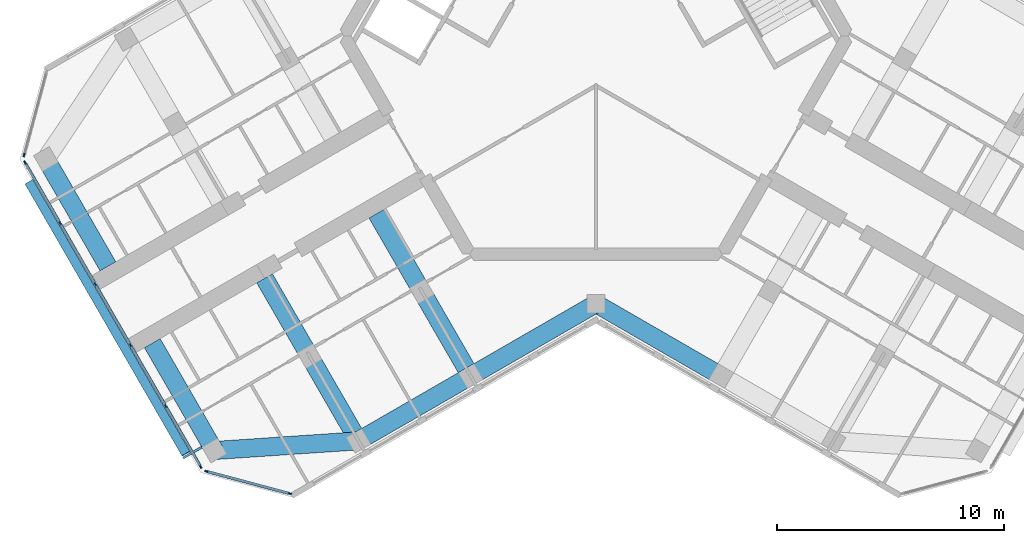
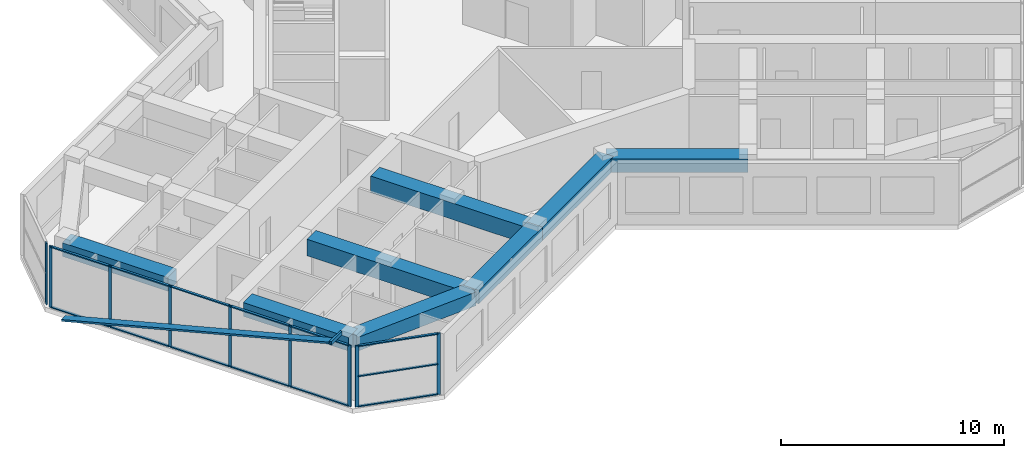
# One storey, part 2 of 14: 24 members, 8 beams, 3 elements without a shape of their own.
"""IFC4 building model written with IfcOpenShell, lengths in metres."""

from ifc_helpers import new_model, si_unit, direction, frame, origin, origin_2d, place, context, subcontext, project, spatial, rectangle, hollow_rectangle, extrude, material, material_profile, profile_set, type_object, element, aggregate, save


model = new_model("IFC4")

# Units and contexts
model_context = context("Model", 3, precision=1e-05, world=origin(), true_north=direction((0.0, 1.0)))
body_context = subcontext(model_context, "Body", "Model", "MODEL_VIEW")
ifc_project = project(units=[si_unit("LENGTHUNIT", "METRE"), si_unit("AREAUNIT", "SQUARE_METRE"), si_unit("VOLUMEUNIT", "CUBIC_METRE"), si_unit("PLANEANGLEUNIT", "RADIAN"), si_unit("MASSUNIT", "GRAM", prefix="KILO")], contexts=[model_context])

# Site, building, storey
site_placement = place(None, origin())
site = spatial("IfcSite", under=ifc_project, at=site_placement, CompositionType="ELEMENT")
building_placement = place(site_placement, origin())
building = spatial("IfcBuilding", under=site, at=building_placement, Name="Kosmar Iwan School Tower", CompositionType="ELEMENT")
storey_placement = place(building_placement, frame((0.0, 0.0, 278.199951171875)))
storey = spatial("IfcBuildingStorey", under=building, at=storey_placement, Name="L70", CompositionType="ELEMENT", Elevation=278.199951171875)

# Members
ifc_material_1 = material(Name="Black anodised aluminium", Category="aluminium")
ifc_material_profile_1 = material_profile(ifc_material_1, rectangle(XDim=0.10009765625, YDim=0.39990234375, at=origin_2d()), Name="FIN 100x400")
ifc_profile_set_1 = profile_set([ifc_material_profile_1], Name="Black anodised aluminium")
member_type_1 = type_object("IfcMemberType", Name="Diagonal fin 100x400", PredefinedType="USERDEFINED", material=ifc_profile_set_1)
member_1_placement = place(storey_placement, frame((-24.926513671875, -6.426025390625, -0.14990234375), z_axis=(0.483802480126, -0.837968840024, 0.252474520243), x_axis=(-0.126237445008, 0.218649241594, 0.967603543104)))
element("IfcMember", 1, at=member_1_placement, inside=storey, type_object=member_type_1, Name="Diagonal fin L70-F13", ObjectType="FIN", PredefinedType="USERDEFINED", context=body_context, shape_type="SweptSolid", body=[
    extrude(rectangle(XDim=0.10009765625, YDim=0.39990234375, at=origin_2d()), origin(), (0.0, 0.0, 1.0), 14.25830078125),
])
ifc_material_2 = material(Name="Steel S355", Category="steel")
ifc_material_profile_2 = material_profile(ifc_material_2, hollow_rectangle(XDim=0.10009765625, YDim=0.199951171875, WallThickness=0.008056640625, at=origin_2d()), Name="RHS 200x100x8")
ifc_profile_set_2 = profile_set([ifc_material_profile_2], Name="Steel S355")
member_type_2 = type_object("IfcMemberType", Name="Fin bracket RHS 200x100", PredefinedType="USERDEFINED", material=ifc_profile_set_2)
member_2_placement = place(storey_placement, frame((-17.327880859375, -18.087158203125, 3.47509765625), z_axis=(-0.865988727248, -0.500063520245, 0.0), x_axis=(0.500063520245, -0.865988727248, 0.0)))
element("IfcMember", 2, at=member_2_placement, inside=storey, type_object=member_type_2, Name="Fin bracket L71", ObjectType="FIN BRACKET", PredefinedType="USERDEFINED", context=body_context, shape_type="SweptSolid", body=[
    extrude(hollow_rectangle(XDim=0.10009765625, YDim=0.199951171875, WallThickness=0.008056640625, at=origin_2d()), origin(), (0.0, 0.0, 1.0), 0.9501953125),
])

# Curtain wall, member
ifc_material_3 = material(Name="Dark glass in black aluminium frame", Category="aluminium")
curtain_wall_type_1 = type_object("IfcCurtainWallType", Name="Chamfer curtain wall dark glass", PredefinedType="USERDEFINED", material=ifc_material_3)
curtain_wall_1_placement = place(storey_placement, origin())
curtain_wall_1 = element("IfcCurtainWall", 3, at=curtain_wall_1_placement, inside=storey, type_object=curtain_wall_type_1, Name="Curtain wall L70-F12", ObjectType="FACETED CURTAIN WALL", PredefinedType="USERDEFINED")
ifc_material_4 = material(Name="Black anodised aluminium", Category="aluminium")
ifc_material_profile_3 = material_profile(ifc_material_4, rectangle(XDim=0.06005859375, YDim=0.159912109375, at=origin_2d()), Name="MULLION 60x160")
ifc_profile_set_3 = profile_set([ifc_material_profile_3], Name="Black anodised aluminium")
member_type_3 = type_object("IfcMemberType", Name="Mullion 60x160", PredefinedType="MULLION", material=ifc_profile_set_3)
member_3_placement = place(storey_placement, frame((-25.141845703125, -5.24853515625, 0.0), z_axis=(0.0, 0.0, 1.0), x_axis=(0.965925875495, -0.258818861462, 0.0)))
member_3 = element("IfcMember", 4, at=member_3_placement, type_object=member_type_3, Name="CW2 mullion 2", PredefinedType="MULLION", context=body_context, shape_type="SweptSolid", body=[
    extrude(rectangle(XDim=0.06005859375, YDim=0.159912109375, at=origin_2d()), origin(), (0.0, 0.0, 1.0), 3.35009765625),
])
aggregate(curtain_wall_1, [member_3])

# Curtain wall, members
ifc_material_5 = material(Name="Dark glass in black aluminium frame", Category="aluminium")
curtain_wall_type_2 = type_object("IfcCurtainWallType", Name="Tower curtain wall dark glass", PredefinedType="USERDEFINED", material=ifc_material_5)
curtain_wall_2_placement = place(storey_placement, origin())
curtain_wall_2 = element("IfcCurtainWall", 5, at=curtain_wall_2_placement, inside=storey, type_object=curtain_wall_type_2, Name="Curtain wall L70-F13", ObjectType="UNITISED CURTAIN WALL", PredefinedType="USERDEFINED")
member_4_placement = place(storey_placement, frame((-25.098388671875, -5.578369140625, 0.0), z_axis=(0.0, 0.0, 1.0), x_axis=(0.866025405329, 0.499999997325, 0.0)))
member_4 = element("IfcMember", 6, at=member_4_placement, type_object=member_type_3, Name="CW1 mullion 1", PredefinedType="MULLION", context=body_context, shape_type="SweptSolid", body=[
    extrude(rectangle(XDim=0.06005859375, YDim=0.159912109375, at=origin_2d()), origin(), (0.0, 0.0, 1.0), 3.35009765625),
])
member_5_placement = place(storey_placement, frame((-23.563720703125, -8.236328125, 0.0), z_axis=(0.0, 0.0, 1.0), x_axis=(0.866025405329, 0.499999997325, 0.0)))
member_5 = element("IfcMember", 7, at=member_5_placement, type_object=member_type_3, Name="CW1 mullion 2", PredefinedType="MULLION", context=body_context, shape_type="SweptSolid", body=[
    extrude(rectangle(XDim=0.06005859375, YDim=0.159912109375, at=origin_2d()), origin(), (0.0, 0.0, 1.0), 3.35009765625),
])
member_6_placement = place(storey_placement, frame((-22.01416015625, -10.92041015625, 0.0), z_axis=(0.0, 0.0, 1.0), x_axis=(0.866025405329, 0.499999997325, 0.0)))
member_6 = element("IfcMember", 8, at=member_6_placement, type_object=member_type_3, Name="CW1 mullion 3", PredefinedType="MULLION", context=body_context, shape_type="SweptSolid", body=[
    extrude(rectangle(XDim=0.06005859375, YDim=0.159912109375, at=origin_2d()), origin(), (0.0, 0.0, 1.0), 3.35009765625),
])
member_7_placement = place(storey_placement, frame((-20.46435546875, -13.6044921875, 0.0), z_axis=(0.0, 0.0, 1.0), x_axis=(0.866025405329, 0.499999997325, 0.0)))
member_7 = element("IfcMember", 9, at=member_7_placement, type_object=member_type_3, Name="CW1 mullion 4", PredefinedType="MULLION", context=body_context, shape_type="SweptSolid", body=[
    extrude(rectangle(XDim=0.06005859375, YDim=0.159912109375, at=origin_2d()), origin(), (0.0, 0.0, 1.0), 3.35009765625),
])
member_8_placement = place(storey_placement, frame((-18.914794921875, -16.28857421875, 0.0), z_axis=(0.0, 0.0, 1.0), x_axis=(0.866025405329, 0.499999997325, 0.0)))
member_8 = element("IfcMember", 10, at=member_8_placement, type_object=member_type_3, Name="CW1 mullion 5", PredefinedType="MULLION", context=body_context, shape_type="SweptSolid", body=[
    extrude(rectangle(XDim=0.06005859375, YDim=0.159912109375, at=origin_2d()), origin(), (0.0, 0.0, 1.0), 3.35009765625),
])
member_9_placement = place(storey_placement, frame((-17.380126953125, -18.94677734375, 0.0), z_axis=(0.0, 0.0, 1.0), x_axis=(0.866025405329, 0.499999997325, 0.0)))
member_9 = element("IfcMember", 11, at=member_9_placement, type_object=member_type_3, Name="CW1 mullion 6", PredefinedType="MULLION", context=body_context, shape_type="SweptSolid", body=[
    extrude(rectangle(XDim=0.06005859375, YDim=0.159912109375, at=origin_2d()), origin(), (0.0, 0.0, 1.0), 3.35009765625),
])

curtain_wall_3_placement = place(storey_placement, origin())
curtain_wall_3 = element("IfcCurtainWall", 12, at=curtain_wall_3_placement, inside=storey, type_object=curtain_wall_type_1, Name="Curtain wall L70-F14", ObjectType="FACETED CURTAIN WALL", PredefinedType="USERDEFINED")
member_10_placement = place(storey_placement, frame((-17.1162109375, -19.149169921875, 0.0), z_axis=(0.0, 0.0, 1.0), x_axis=(0.258818861462, 0.965925875495, 0.0)))
member_10 = element("IfcMember", 13, at=member_10_placement, type_object=member_type_3, Name="CW2 mullion 1", PredefinedType="MULLION", context=body_context, shape_type="SweptSolid", body=[
    extrude(rectangle(XDim=0.06005859375, YDim=0.159912109375, at=origin_2d()), origin(), (0.0, 0.0, 1.0), 3.35009765625),
])
member_11_placement = place(storey_placement, frame((-13.466064453125, -20.127197265625, 0.0), z_axis=(0.0, 0.0, 1.0), x_axis=(0.258818861462, 0.965925875495, 0.0)))
member_11 = element("IfcMember", 14, at=member_11_placement, type_object=member_type_3, Name="CW2 mullion 2", PredefinedType="MULLION", context=body_context, shape_type="SweptSolid", body=[
    extrude(rectangle(XDim=0.06005859375, YDim=0.159912109375, at=origin_2d()), origin(), (0.0, 0.0, 1.0), 3.35009765625),
])

# Beams
ifc_material_6 = material(Name="Concrete C50/60", Category="concrete")
ifc_material_profile_4 = material_profile(ifc_material_6, rectangle(XDim=0.800048828125, YDim=0.75, at=origin_2d()), Name="RC 800x750")
ifc_profile_set_4 = profile_set([ifc_material_profile_4], Name="Concrete C50/60")
beam_type_1 = type_object("IfcBeamType", Name="RC edge beam 800x750", PredefinedType="BEAM", material=ifc_profile_set_4)
beam_1_placement = place(storey_placement, frame((0.0, -11.77783203125, 2.97509765625), z_axis=(-0.866014293216, -0.500019243575, 0.0), x_axis=(0.500019243575, -0.866014293216, 0.0)))
element("IfcBeam", 15, at=beam_1_placement, inside=storey, type_object=beam_type_1, Name="Edge beam BL1", PredefinedType="BEAM", context=body_context, shape_type="SweptSolid", body=[
    extrude(rectangle(XDim=0.800048828125, YDim=0.75, at=origin_2d()), origin(), (0.0, 0.0, 1.0), 6.361083984375),
])
beam_2_placement = place(storey_placement, frame((-5.5087890625, -14.95849609375, 2.97509765625), z_axis=(-0.866033658841, -0.49998570155, 0.0), x_axis=(0.49998570155, -0.866033658841, 0.0)))
element("IfcBeam", 16, at=beam_2_placement, inside=storey, type_object=beam_type_1, Name="Edge beam BL2", PredefinedType="BEAM", context=body_context, shape_type="SweptSolid", body=[
    extrude(rectangle(XDim=0.800048828125, YDim=0.75, at=origin_2d()), origin(), (0.0, 0.0, 1.0), 5.699951171875),
])
beam_3_placement = place(storey_placement, frame((0.0, -11.77783203125, 2.97509765625), z_axis=(0.866014293216, -0.500019243575, 0.0), x_axis=(0.500019243575, 0.866014293216, 0.0)))
element("IfcBeam", 17, at=beam_3_placement, inside=storey, type_object=beam_type_1, Name="Edge beam CR1", PredefinedType="BEAM", context=body_context, shape_type="SweptSolid", body=[
    extrude(rectangle(XDim=0.800048828125, YDim=0.75, at=origin_2d()), origin(), (0.0, 0.0, 1.0), 6.361083984375),
])
ifc_material_7 = material(Name="Concrete C50/60", Category="concrete")
ifc_material_profile_5 = material_profile(ifc_material_7, rectangle(XDim=0.800048828125, YDim=0.75, at=origin_2d()), Name="RC 800x750")
ifc_profile_set_5 = profile_set([ifc_material_profile_5], Name="Concrete C50/60")
beam_type_2 = type_object("IfcBeamType", Name="RC tip beam 800x750", PredefinedType="BEAM", material=ifc_profile_set_5)
beam_4_placement = place(storey_placement, frame((-10.445068359375, -17.808349609375, 2.97509765625), z_axis=(-0.997755118724, -0.066968074933, 0.0), x_axis=(0.066968074933, -0.997755118724, 0.0)))
element("IfcBeam", 18, at=beam_4_placement, inside=storey, type_object=beam_type_2, Name="Tip beam BL", PredefinedType="BEAM", context=body_context, shape_type="SweptSolid", body=[
    extrude(rectangle(XDim=0.800048828125, YDim=0.75, at=origin_2d()), origin(), (0.0, 0.0, 1.0), 6.3505859375),
])
beam_5_placement = place(storey_placement, frame((-16.781494140625, -18.233642578125, 2.97509765625), z_axis=(-0.500002931134, 0.866023711487, 0.0), x_axis=(-0.866023711487, -0.500002931134, 0.0)))
element("IfcBeam", 19, at=beam_5_placement, inside=storey, type_object=beam_type_2, Name="Tip beam BL to corridor wall", PredefinedType="BEAM", context=body_context, shape_type="SweptSolid", body=[
    extrude(rectangle(XDim=0.800048828125, YDim=0.75, at=origin_2d()), origin(), (0.0, 0.0, 1.0), 5.4501953125),
])
beam_6_placement = place(storey_placement, frame((-24.181396484375, -5.41650390625, 2.97509765625), z_axis=(0.499988730927, -0.866031909889, 0.0), x_axis=(0.866031909889, 0.499988730927, 0.0)))
element("IfcBeam", 20, at=beam_6_placement, inside=storey, type_object=beam_type_2, Name="Tip beam BR to corridor wall", PredefinedType="BEAM", context=body_context, shape_type="SweptSolid", body=[
    extrude(rectangle(XDim=0.800048828125, YDim=0.75, at=origin_2d()), origin(), (0.0, 0.0, 1.0), 5.449951171875),
])
ifc_material_8 = material(Name="Concrete C50/60", Category="concrete")
ifc_material_profile_6 = material_profile(ifc_material_8, rectangle(XDim=0.800048828125, YDim=0.89990234375, at=origin_2d()), Name="RC 800x900")
ifc_profile_set_6 = profile_set([ifc_material_profile_6], Name="Concrete C50/60")
beam_type_3 = type_object("IfcBeamType", Name="RC transverse beam 800x900", PredefinedType="BEAM", material=ifc_profile_set_6)
beam_7_placement = place(storey_placement, frame((-5.5087890625, -14.95849609375, 2.900146484375), z_axis=(-0.499996545922, 0.866027397988, 0.0), x_axis=(-0.866027397988, -0.499996545922, 0.0)))
element("IfcBeam", 21, at=beam_7_placement, inside=storey, type_object=beam_type_3, Name="Transverse beam BL1", PredefinedType="BEAM", context=body_context, shape_type="SweptSolid", body=[
    extrude(rectangle(XDim=0.800048828125, YDim=0.89990234375, at=origin_2d()), origin(), (0.0, 0.0, 1.0), 8.25),
])
beam_8_placement = place(storey_placement, frame((-10.445068359375, -17.808349609375, 2.900146484375), z_axis=(-0.500009360108, 0.866019999656, 0.0), x_axis=(-0.866019999656, -0.500009360108, 0.0)))
element("IfcBeam", 22, at=beam_8_placement, inside=storey, type_object=beam_type_3, Name="Transverse beam BL2", PredefinedType="BEAM", context=body_context, shape_type="SweptSolid", body=[
    extrude(rectangle(XDim=0.800048828125, YDim=0.89990234375, at=origin_2d()), origin(), (0.0, 0.0, 1.0), 8.249755859375),
])

# Member
ifc_material_9 = material(Name="Black anodised aluminium", Category="aluminium")
ifc_material_profile_7 = material_profile(ifc_material_9, rectangle(XDim=0.1201171875, YDim=0.06005859375, at=origin_2d()), Name="TRANSOM 60x120")
ifc_profile_set_7 = profile_set([ifc_material_profile_7], Name="Black anodised aluminium")
member_type_4 = type_object("IfcMemberType", Name="Transom 60x120", PredefinedType="USERDEFINED", material=ifc_profile_set_7)
member_12_placement = place(storey_placement, frame((-25.08349609375, -5.604248046875, 0.030029296875), z_axis=(0.499986971506, -0.866032925658, 0.0), x_axis=(0.866032925658, 0.499986971506, 0.0)))
member_12 = element("IfcMember", 23, at=member_12_placement, type_object=member_type_4, Name="CW1 transom 1.1", ObjectType="TRANSOM", PredefinedType="USERDEFINED", context=body_context, shape_type="SweptSolid", body=[
    extrude(rectangle(XDim=0.1201171875, YDim=0.06005859375, at=origin_2d()), origin(), (0.0, 0.0, 1.0), 3.00927734375),
])

member_13_placement = place(storey_placement, frame((-25.08349609375, -5.604248046875, 3.320068359375), z_axis=(0.499986971506, -0.866032925658, 0.0), x_axis=(0.866032925658, 0.499986971506, 0.0)))
member_13 = element("IfcMember", 24, at=member_13_placement, type_object=member_type_4, Name="CW1 transom 1.2", ObjectType="TRANSOM", PredefinedType="USERDEFINED", context=body_context, shape_type="SweptSolid", body=[
    extrude(rectangle(XDim=0.1201171875, YDim=0.06005859375, at=origin_2d()), origin(), (0.0, 0.0, 1.0), 3.00927734375),
])

member_14_placement = place(storey_placement, frame((-23.548828125, -8.262451171875, 0.030029296875), z_axis=(0.500035348339, -0.866004994449, 0.0), x_axis=(0.866004994449, 0.500035348339, 0.0)))
member_14 = element("IfcMember", 25, at=member_14_placement, type_object=member_type_4, Name="CW1 transom 2.1", ObjectType="TRANSOM", PredefinedType="USERDEFINED", context=body_context, shape_type="SweptSolid", body=[
    extrude(rectangle(XDim=0.1201171875, YDim=0.06005859375, at=origin_2d()), origin(), (0.0, 0.0, 1.0), 3.039306640625),
])

member_15_placement = place(storey_placement, frame((-23.548828125, -8.262451171875, 3.320068359375), z_axis=(0.500035348339, -0.866004994449, 0.0), x_axis=(0.866004994449, 0.500035348339, 0.0)))
member_15 = element("IfcMember", 26, at=member_15_placement, type_object=member_type_4, Name="CW1 transom 2.2", ObjectType="TRANSOM", PredefinedType="USERDEFINED", context=body_context, shape_type="SweptSolid", body=[
    extrude(rectangle(XDim=0.1201171875, YDim=0.06005859375, at=origin_2d()), origin(), (0.0, 0.0, 1.0), 3.039306640625),
])

member_16_placement = place(storey_placement, frame((-21.9990234375, -10.946533203125, 0.030029296875), z_axis=(0.499975102327, -0.866039777986, 0.0), x_axis=(0.866039777986, 0.499975102327, 0.0)))
member_16 = element("IfcMember", 27, at=member_16_placement, type_object=member_type_4, Name="CW1 transom 3.1", ObjectType="TRANSOM", PredefinedType="USERDEFINED", context=body_context, shape_type="SweptSolid", body=[
    extrude(rectangle(XDim=0.1201171875, YDim=0.06005859375, at=origin_2d()), origin(), (0.0, 0.0, 1.0), 3.039306640625),
])

member_17_placement = place(storey_placement, frame((-21.9990234375, -10.946533203125, 3.320068359375), z_axis=(0.499975102327, -0.866039777986, 0.0), x_axis=(0.866039777986, 0.499975102327, 0.0)))
member_17 = element("IfcMember", 28, at=member_17_placement, type_object=member_type_4, Name="CW1 transom 3.2", ObjectType="TRANSOM", PredefinedType="USERDEFINED", context=body_context, shape_type="SweptSolid", body=[
    extrude(rectangle(XDim=0.1201171875, YDim=0.06005859375, at=origin_2d()), origin(), (0.0, 0.0, 1.0), 3.039306640625),
])

member_18_placement = place(storey_placement, frame((-20.449462890625, -13.630615234375, 0.030029296875), z_axis=(0.500035348339, -0.866004994449, 0.0), x_axis=(0.866004994449, 0.500035348339, 0.0)))
member_18 = element("IfcMember", 29, at=member_18_placement, type_object=member_type_4, Name="CW1 transom 4.1", ObjectType="TRANSOM", PredefinedType="USERDEFINED", context=body_context, shape_type="SweptSolid", body=[
    extrude(rectangle(XDim=0.1201171875, YDim=0.06005859375, at=origin_2d()), origin(), (0.0, 0.0, 1.0), 3.039306640625),
])

member_19_placement = place(storey_placement, frame((-20.449462890625, -13.630615234375, 3.320068359375), z_axis=(0.500035348339, -0.866004994449, 0.0), x_axis=(0.866004994449, 0.500035348339, 0.0)))
member_19 = element("IfcMember", 30, at=member_19_placement, type_object=member_type_4, Name="CW1 transom 4.2", ObjectType="TRANSOM", PredefinedType="USERDEFINED", context=body_context, shape_type="SweptSolid", body=[
    extrude(rectangle(XDim=0.1201171875, YDim=0.06005859375, at=origin_2d()), origin(), (0.0, 0.0, 1.0), 3.039306640625),
])

member_20_placement = place(storey_placement, frame((-18.89990234375, -16.314697265625, 0.030029296875), z_axis=(0.500022102064, -0.866012642776, 0.0), x_axis=(0.866012642776, 0.500022102064, 0.0)))
member_20 = element("IfcMember", 31, at=member_20_placement, type_object=member_type_4, Name="CW1 transom 5.1", ObjectType="TRANSOM", PredefinedType="USERDEFINED", context=body_context, shape_type="SweptSolid", body=[
    extrude(rectangle(XDim=0.1201171875, YDim=0.06005859375, at=origin_2d()), origin(), (0.0, 0.0, 1.0), 3.009033203125),
])

member_21_placement = place(storey_placement, frame((-18.89990234375, -16.314697265625, 3.320068359375), z_axis=(0.500022102064, -0.866012642776, 0.0), x_axis=(0.866012642776, 0.500022102064, 0.0)))
member_21 = element("IfcMember", 32, at=member_21_placement, type_object=member_type_4, Name="CW1 transom 5.2", ObjectType="TRANSOM", PredefinedType="USERDEFINED", context=body_context, shape_type="SweptSolid", body=[
    extrude(rectangle(XDim=0.1201171875, YDim=0.06005859375, at=origin_2d()), origin(), (0.0, 0.0, 1.0), 3.009033203125),
])

aggregate(curtain_wall_2, [member_4, member_5, member_6, member_7, member_8, member_9, member_12, member_13, member_14, member_15, member_16, member_17, member_18, member_19, member_20, member_21])

member_22_placement = place(storey_placement, frame((-17.08740234375, -19.156982421875, 0.030029296875), z_axis=(0.965940141052, -0.258765615768, 0.0), x_axis=(0.258765615768, 0.965940141052, 0.0)))
member_22 = element("IfcMember", 33, at=member_22_placement, type_object=member_type_4, Name="CW2 transom 1.1", ObjectType="TRANSOM", PredefinedType="USERDEFINED", context=body_context, shape_type="SweptSolid", body=[
    extrude(rectangle(XDim=0.1201171875, YDim=0.06005859375, at=origin_2d()), origin(), (0.0, 0.0, 1.0), 3.71923828125),
])

member_23_placement = place(storey_placement, frame((-17.08740234375, -19.156982421875, 1.675048828125), z_axis=(0.965940141052, -0.258765615768, 0.0), x_axis=(0.258765615768, 0.965940141052, 0.0)))
member_23 = element("IfcMember", 34, at=member_23_placement, type_object=member_type_4, Name="CW2 transom 1.2", ObjectType="TRANSOM", PredefinedType="USERDEFINED", context=body_context, shape_type="SweptSolid", body=[
    extrude(rectangle(XDim=0.1201171875, YDim=0.06005859375, at=origin_2d()), origin(), (0.0, 0.0, 1.0), 3.71923828125),
])

member_24_placement = place(storey_placement, frame((-17.08740234375, -19.156982421875, 3.320068359375), z_axis=(0.965940141052, -0.258765615768, 0.0), x_axis=(0.258765615768, 0.965940141052, 0.0)))
member_24 = element("IfcMember", 35, at=member_24_placement, type_object=member_type_4, Name="CW2 transom 1.3", ObjectType="TRANSOM", PredefinedType="USERDEFINED", context=body_context, shape_type="SweptSolid", body=[
    extrude(rectangle(XDim=0.1201171875, YDim=0.06005859375, at=origin_2d()), origin(), (0.0, 0.0, 1.0), 3.71923828125),
])

aggregate(curtain_wall_3, [member_10, member_11, member_22, member_23, member_24])

save(model, "model.ifc")
